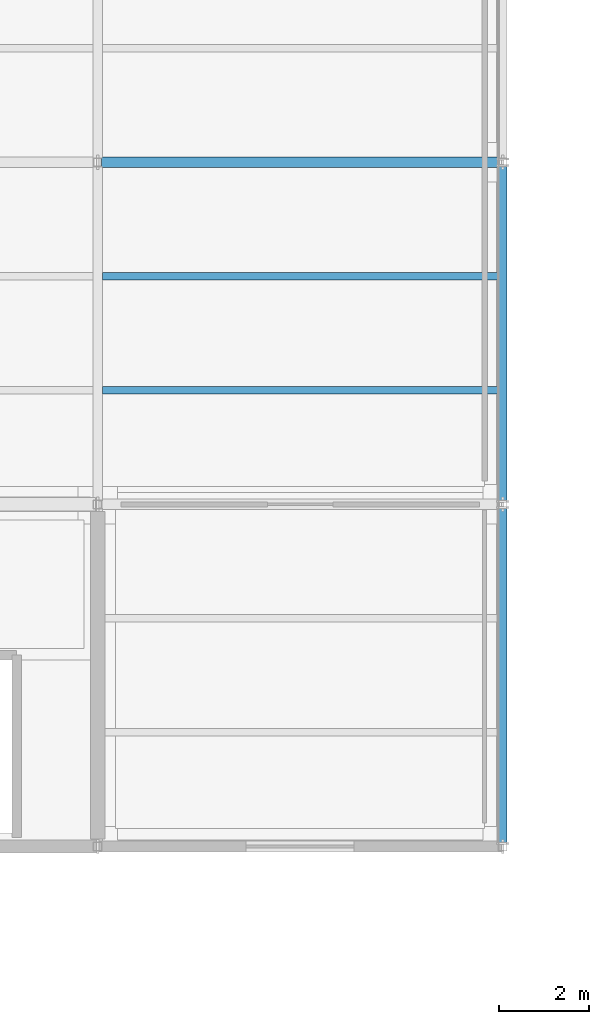
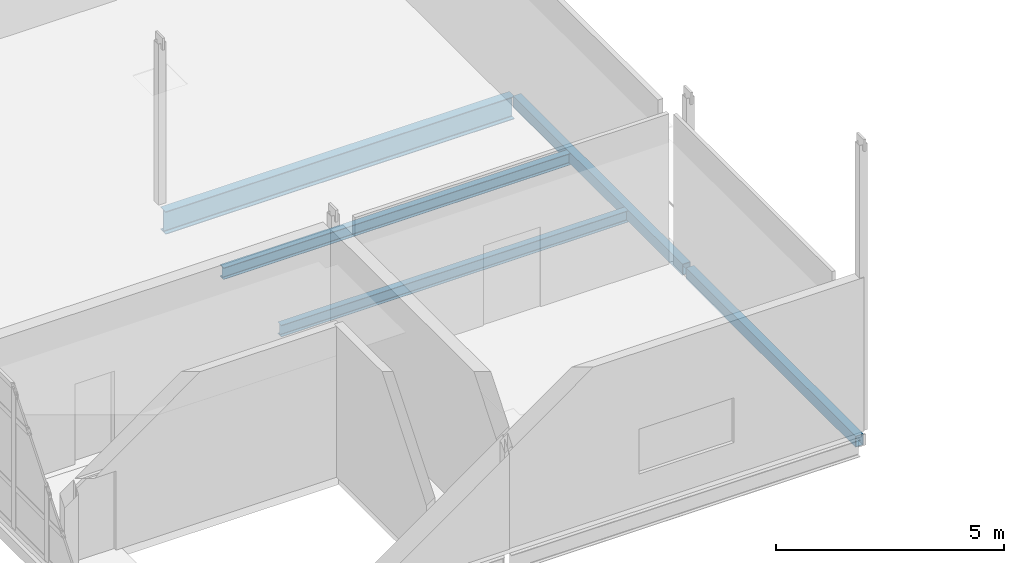
# One storey, part 21 of 96: 5 beams.
"""IFC4 building model written with IfcOpenShell, lengths in metres."""

from ifc_helpers import new_model, si_unit, direction, frame, origin, origin_2d, place, context, subcontext, project, spatial, hollow_rectangle, i_section, extrude, material, material_profile, profile_set, type_object, element, save


model = new_model("IFC4")

# Units and contexts
model_context = context("Model", 3, precision=1e-05, world=origin(), true_north=direction((0.0, 1.0)))
body_context = subcontext(model_context, "Body", "Model", "MODEL_VIEW")
ifc_project = project(units=[si_unit("LENGTHUNIT", "METRE"), si_unit("AREAUNIT", "SQUARE_METRE"), si_unit("VOLUMEUNIT", "CUBIC_METRE"), si_unit("PLANEANGLEUNIT", "RADIAN"), si_unit("MASSUNIT", "GRAM", prefix="KILO")], contexts=[model_context])

# Site, building, storey
site_placement = place(None, origin())
site = spatial("IfcSite", under=ifc_project, at=site_placement, CompositionType="ELEMENT")
building_placement = place(site_placement, origin())
building = spatial("IfcBuilding", under=site, at=building_placement, Name="Caisbarro Railhouse Central Library", CompositionType="ELEMENT")
storey_placement = place(building_placement, frame((0.0, 0.0, 13.679931640625)))
storey = spatial("IfcBuildingStorey", under=building, at=storey_placement, Name="L03", CompositionType="ELEMENT", Elevation=13.679931640625)

# Beams
ifc_material = material(Name="Steel ASTM A572 Grade 50", Category="steel")
ifc_material_profile_1 = material_profile(ifc_material, i_section(OverallWidth=0.22802734375, OverallDepth=0.60791015625, WebThickness=0.01123046875, FlangeThickness=0.017333984375, FilletRadius=0.02197265625, at=origin_2d()), Name="W610X113.0")
ifc_profile_set_1 = profile_set([ifc_material_profile_1], Name="Steel ASTM A572 Grade 50")
beam_type_1 = type_object("IfcBeamType", Name="BM-G04", PredefinedType="BEAM", material=ifc_profile_set_1)
beam_placement = place(storey_placement, frame((9.080078125, 45.60009765625, -0.52392578125), z_axis=(1.0, 0.0, 0.0), x_axis=(0.0, 1.0, 0.0)))
element("IfcBeam", 1, at=beam_placement, inside=storey, type_object=beam_type_1, Name="G04 beam L03 #1833", PredefinedType="BEAM", context=body_context, shape_type="SweptSolid", body=[
    extrude(i_section(OverallWidth=0.22802734375, OverallDepth=0.60791015625, WebThickness=0.01123046875, FlangeThickness=0.017333984375, FilletRadius=0.02197265625, at=origin_2d()), origin(), (0.0, 0.0, 1.0), 8.83984375),
])
ifc_material_profile_2 = material_profile(ifc_material, i_section(OverallWidth=0.1650390625, OverallDepth=0.31005859375, WebThickness=0.005859375, FlangeThickness=0.009765625, FilletRadius=0.011962890625, at=origin_2d()), Name="W310X38.7")
ifc_profile_set_2 = profile_set([ifc_material_profile_2], Name="Steel ASTM A572 Grade 50")
beam_type_2 = type_object("IfcBeamType", Name="BM-J03", PredefinedType="JOIST", material=ifc_profile_set_2)
for number, where, z_axis, x_axis, name in (
    (2, (9.1044921875, 40.533203125, -0.375), (1.0, 0.0, 0.0), (0.0, 1.0, 0.0), "J03 beam L03 #1851"),
    (3, (9.1044921875, 43.066650390625, -0.375), (1.0, 0.0, 0.0), (0.0, 1.0, 0.0), "J03 beam L03 #1852"),
):
    element("IfcBeam", number, at=place(storey_placement, frame(where, z_axis=z_axis, x_axis=x_axis)), inside=storey, type_object=beam_type_2, Name=name, PredefinedType="JOIST", context=body_context, shape_type="SweptSolid", body=[
        extrude(i_section(OverallWidth=0.1650390625, OverallDepth=0.31005859375, WebThickness=0.005859375, FlangeThickness=0.009765625, FilletRadius=0.011962890625, at=origin_2d()), origin(), (0.0, 0.0, 1.0), 8.79541015625),
    ])
ifc_material_profile_3 = material_profile(ifc_material, hollow_rectangle(XDim=0.199951171875, YDim=0.300048828125, WallThickness=0.012451171875, at=origin_2d()), Name="HSS300X200X12.5")
ifc_profile_set_3 = profile_set([ifc_material_profile_3], Name="Steel ASTM A572 Grade 50")
beam_type_3 = type_object("IfcBeamType", Name="BM-SP02", PredefinedType="SPANDREL", material=ifc_profile_set_3)
for number, where, z_axis, x_axis, name in (
    (4, (18.0, 30.47998046875, -0.369873046875), (0.0, 1.0, 0.0), (-1.0, 0.0, 0.0), "SP02 beam L03 #1842"),
    (5, (18.0, 38.080078125, -0.369873046875), (0.0, 1.0, 0.0), (-1.0, 0.0, 0.0), "SP02 beam L03 #1843"),
):
    element("IfcBeam", number, at=place(storey_placement, frame(where, z_axis=z_axis, x_axis=x_axis)), inside=storey, type_object=beam_type_3, Name=name, PredefinedType="SPANDREL", context=body_context, shape_type="SweptSolid", body=[
        extrude(hollow_rectangle(XDim=0.199951171875, YDim=0.300048828125, WallThickness=0.012451171875, at=origin_2d()), origin(), (0.0, 0.0, 1.0), 7.43994140625),
    ])

save(model, "model.ifc")
